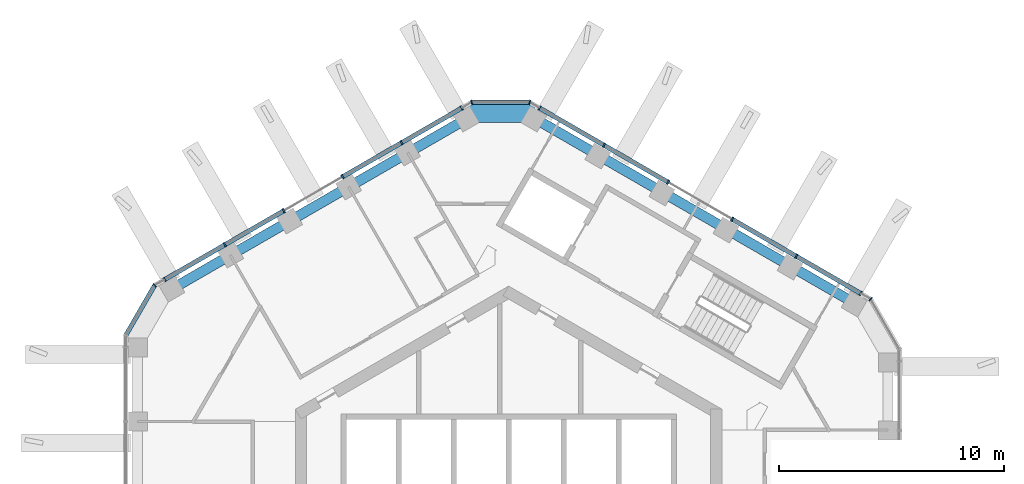
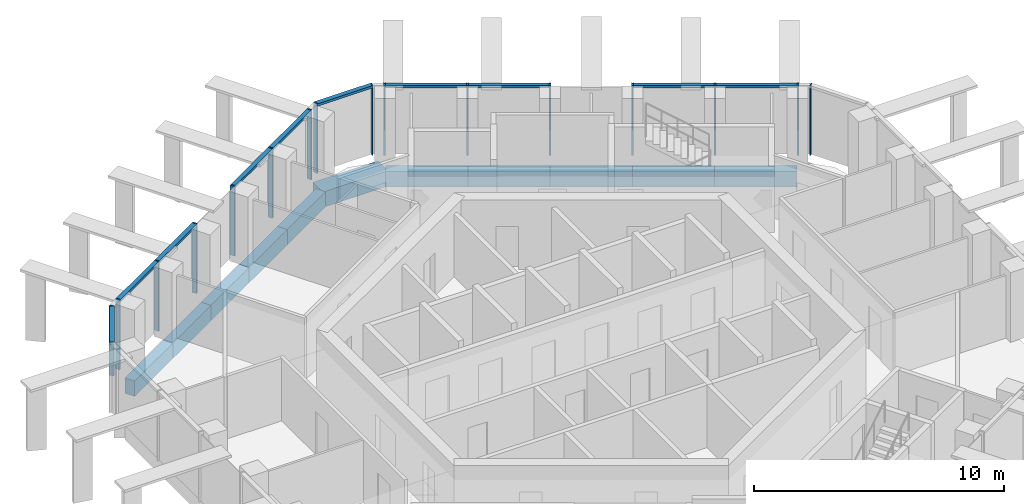
# One storey, part 5 of 18: 22 members, 11 beams, 5 elements without a shape of their own.
"""IFC4 building model written with IfcOpenShell, lengths in metres."""

from ifc_helpers import new_model, si_unit, direction, frame, origin, origin_2d, place, context, subcontext, project, spatial, rectangle, extrude, material, layer, layer_set, material_profile, profile_set, type_object, element, aggregate, save


model = new_model("IFC4")

# Units and contexts
model_context = context("Model", 3, precision=1e-05, world=origin(), true_north=direction((0.0, 1.0)))
body_context = subcontext(model_context, "Body", "Model", "MODEL_VIEW")
ifc_project = project(units=[si_unit("LENGTHUNIT", "METRE"), si_unit("AREAUNIT", "SQUARE_METRE"), si_unit("VOLUMEUNIT", "CUBIC_METRE"), si_unit("PLANEANGLEUNIT", "RADIAN"), si_unit("MASSUNIT", "GRAM", prefix="KILO")], contexts=[model_context])

# Site, building, storey
site_placement = place(None, origin())
site = spatial("IfcSite", under=ifc_project, at=site_placement, CompositionType="ELEMENT")
building_placement = place(site_placement, origin())
building = spatial("IfcBuilding", under=site, at=building_placement, Name="Ayvan Gate Tower", CompositionType="ELEMENT")
storey_placement = place(building_placement, frame((0.0, 0.0, 239.300048828125)))
storey = spatial("IfcBuildingStorey", under=building, at=storey_placement, Name="L64", CompositionType="ELEMENT", Elevation=239.300048828125)

# Beams
ifc_material_1 = material(Name="Concrete C40/50", Category="concrete")
ifc_material_profile_1 = material_profile(ifc_material_1, rectangle(XDim=0.800048828125, YDim=0.75, at=origin_2d()), Name="RC 800x750")
ifc_profile_set_1 = profile_set([ifc_material_profile_1], Name="Concrete C40/50")
beam_type_1 = type_object("IfcBeamType", Name="Corner spandrel beam RC 800x750 C40/50", PredefinedType="BEAM", material=ifc_profile_set_1)
beam_1_placement = place(storey_placement, frame((1.156494140625, 18.65576171875, -0.72509765625), z_axis=(-1.0, 0.0, 0.0), x_axis=(0.0, -1.0, 0.0)))
element("IfcBeam", 1, at=beam_1_placement, inside=storey, type_object=beam_type_1, Name="SB-L64-12", PredefinedType="BEAM", context=body_context, shape_type="SweptSolid", body=[
    extrude(rectangle(XDim=0.800048828125, YDim=0.75, at=origin_2d()), origin(), (0.0, 0.0, 1.0), 3.0),
])
ifc_material_profile_2 = material_profile(ifc_material_1, rectangle(XDim=0.449951171875, YDim=0.75, at=origin_2d()), Name="RC 450x750")
ifc_profile_set_2 = profile_set([ifc_material_profile_2], Name="Concrete C40/50")
beam_type_2 = type_object("IfcBeamType", Name="Spandrel beam RC 450x750 C40/50", PredefinedType="BEAM", material=ifc_profile_set_2)
beam_2_placement = place(storey_placement, frame((15.387451171875, 10.219482421875, -0.72509765625), z_axis=(-0.866017343988, 0.500013959717, 0.0), x_axis=(-0.500013959717, -0.866017343988, 0.0)))
element("IfcBeam", 2, at=beam_2_placement, inside=storey, type_object=beam_type_2, Name="SB-L64-7", PredefinedType="BEAM", context=body_context, shape_type="SweptSolid", body=[
    extrude(rectangle(XDim=0.449951171875, YDim=0.75, at=origin_2d()), origin(), (0.0, 0.0, 1.0), 3.28662109375),
])
beam_3_placement = place(storey_placement, frame((12.541259765625, 11.86279296875, -0.72509765625), z_axis=(-0.866049510442, 0.499958243719, 0.0), x_axis=(-0.499958243719, -0.866049510442, 0.0)))
element("IfcBeam", 3, at=beam_3_placement, inside=storey, type_object=beam_type_2, Name="SB-L64-8", PredefinedType="BEAM", context=body_context, shape_type="SweptSolid", body=[
    extrude(rectangle(XDim=0.449951171875, YDim=0.75, at=origin_2d()), origin(), (0.0, 0.0, 1.0), 3.286376953125),
])
for number, where, z_axis, x_axis, name in (
    (4, (9.695068359375, 13.505859375, -0.72509765625), (-0.866017343988, 0.500013959717, 0.0), (-0.500013959717, -0.866017343988, 0.0), "SB-L64-9"),
    (5, (6.848876953125, 15.149169921875, -0.72509765625), (-0.866017343988, 0.500013959717, 0.0), (-0.500013959717, -0.866017343988, 0.0), "SB-L64-10"),
    (6, (4.002685546875, 16.79248046875, -0.72509765625), (-0.866017343988, 0.500013959717, 0.0), (-0.500013959717, -0.866017343988, 0.0), "SB-L64-11"),
):
    element("IfcBeam", number, at=place(storey_placement, frame(where, z_axis=z_axis, x_axis=x_axis)), inside=storey, type_object=beam_type_2, Name=name, PredefinedType="BEAM", context=body_context, shape_type="SweptSolid", body=[
        extrude(rectangle(XDim=0.449951171875, YDim=0.75, at=origin_2d()), origin(), (0.0, 0.0, 1.0), 3.28662109375),
    ])
for number, where, z_axis, x_axis, name in (
    (7, (-1.843505859375, 18.435791015625, -0.72509765625), (-0.866006879371, -0.500032083853, 0.0), (0.500032083853, -0.866006879371, 0.0), "SB-L64-13"),
    (8, (-4.483642578125, 16.911376953125, -0.72509765625), (-0.866041556688, -0.499972021306, 0.0), (0.499972021306, -0.866041556688, 0.0), "SB-L64-14"),
    (9, (-7.123779296875, 15.38720703125, -0.72509765625), (-0.866006879371, -0.500032083853, 0.0), (0.500032083853, -0.866006879371, 0.0), "SB-L64-15"),
    (10, (-9.763916015625, 13.86279296875, -0.72509765625), (-0.866041556688, -0.499972021306, 0.0), (0.499972021306, -0.866041556688, 0.0), "SB-L64-16"),
):
    element("IfcBeam", number, at=place(storey_placement, frame(where, z_axis=z_axis, x_axis=x_axis)), inside=storey, type_object=beam_type_2, Name=name, PredefinedType="BEAM", context=body_context, shape_type="SweptSolid", body=[
        extrude(rectangle(XDim=0.449951171875, YDim=0.75, at=origin_2d()), origin(), (0.0, 0.0, 1.0), 3.048583984375),
    ])
beam_4_placement = place(storey_placement, frame((-12.404052734375, 12.338623046875, -0.72509765625), z_axis=(-0.865986854215, -0.500066763869, 0.0), x_axis=(0.500066763869, -0.865986854215, 0.0)))
element("IfcBeam", 11, at=beam_4_placement, inside=storey, type_object=beam_type_2, Name="SB-L64-17", PredefinedType="BEAM", context=body_context, shape_type="SweptSolid", body=[
    extrude(rectangle(XDim=0.449951171875, YDim=0.75, at=origin_2d()), origin(), (0.0, 0.0, 1.0), 3.04833984375),
])

# Curtain wall, members
ifc_material_2 = material(Name="Bronze anodised aluminium", Category="aluminium")
ifc_layer_1 = layer(ifc_material_2, 0.199951171875)
ifc_layer_set_1 = layer_set([ifc_layer_1], Name="Bronze anodised aluminium")
curtain_wall_type_1 = type_object("IfcCurtainWallType", Name="Stick curtain wall CW-2", PredefinedType="NOTDEFINED", material=ifc_layer_set_1)
curtain_wall_1_placement = place(storey_placement, origin())
curtain_wall_1 = element("IfcCurtainWall", 12, at=curtain_wall_1_placement, inside=storey, type_object=curtain_wall_type_1, Name="Stick curtain wall CW-2 L64", PredefinedType="NOTDEFINED")
ifc_material_profile_3 = material_profile(ifc_material_2, rectangle(XDim=0.199951171875, YDim=0.070068359375, at=origin_2d()), Name="Stick curtain wall CW-2 mullion 200 x 70")
ifc_profile_set_3 = profile_set([ifc_material_profile_3], Name="Bronze anodised aluminium")
member_type_1 = type_object("IfcMemberType", Name="Stick curtain wall CW-2 mullion 200 x 70", PredefinedType="MULLION", material=ifc_profile_set_3)
member_1_placement = place(storey_placement, frame((-2.089111328125, 18.900146484375, 0.0), z_axis=(0.0, 0.0, 1.0), x_axis=(-0.5, 0.866025403784, 0.0)))
member_1 = element("IfcMember", 13, at=member_1_placement, type_object=member_type_1, Name="CW-2 mullion 1", PredefinedType="MULLION", context=body_context, shape_type="SweptSolid", body=[
    extrude(rectangle(XDim=0.199951171875, YDim=0.070068359375, at=origin_2d()), origin(), (0.0, 0.0, 1.0), 3.39990234375),
])
member_2_placement = place(storey_placement, frame((-4.77099609375, 17.3515625, 0.0), z_axis=(0.0, 0.0, 1.0), x_axis=(-0.5, 0.866025403784, 0.0)))
member_2 = element("IfcMember", 14, at=member_2_placement, type_object=member_type_1, Name="CW-2 mullion 2", PredefinedType="MULLION", context=body_context, shape_type="SweptSolid", body=[
    extrude(rectangle(XDim=0.199951171875, YDim=0.070068359375, at=origin_2d()), origin(), (0.0, 0.0, 1.0), 3.39990234375),
])
member_3_placement = place(storey_placement, frame((-7.394287109375, 15.837158203125, 0.0), z_axis=(0.0, 0.0, 1.0), x_axis=(-0.5, 0.866025403784, 0.0)))
member_3 = element("IfcMember", 15, at=member_3_placement, type_object=member_type_1, Name="CW-2 mullion 3", PredefinedType="MULLION", context=body_context, shape_type="SweptSolid", body=[
    extrude(rectangle(XDim=0.199951171875, YDim=0.070068359375, at=origin_2d()), origin(), (0.0, 0.0, 1.0), 3.39990234375),
])
member_4_placement = place(storey_placement, frame((-10.017578125, 14.322509765625, 0.0), z_axis=(0.0, 0.0, 1.0), x_axis=(-0.5, 0.866025403784, 0.0)))
member_4 = element("IfcMember", 16, at=member_4_placement, type_object=member_type_1, Name="CW-2 mullion 4", PredefinedType="MULLION", context=body_context, shape_type="SweptSolid", body=[
    extrude(rectangle(XDim=0.199951171875, YDim=0.070068359375, at=origin_2d()), origin(), (0.0, 0.0, 1.0), 3.39990234375),
])
member_5_placement = place(storey_placement, frame((-12.640625, 12.80810546875, 0.0), z_axis=(0.0, 0.0, 1.0), x_axis=(-0.5, 0.866025403784, 0.0)))
member_5 = element("IfcMember", 17, at=member_5_placement, type_object=member_type_1, Name="CW-2 mullion 5", PredefinedType="MULLION", context=body_context, shape_type="SweptSolid", body=[
    extrude(rectangle(XDim=0.199951171875, YDim=0.070068359375, at=origin_2d()), origin(), (0.0, 0.0, 1.0), 3.39990234375),
])
member_6_placement = place(storey_placement, frame((-15.323486328125, 11.25927734375, 0.0), z_axis=(0.0, 0.0, 1.0), x_axis=(-0.5, 0.866025403784, 0.0)))
member_6 = element("IfcMember", 18, at=member_6_placement, type_object=member_type_1, Name="CW-2 mullion 6", PredefinedType="MULLION", context=body_context, shape_type="SweptSolid", body=[
    extrude(rectangle(XDim=0.199951171875, YDim=0.070068359375, at=origin_2d()), origin(), (0.0, 0.0, 1.0), 3.39990234375),
])

curtain_wall_2_placement = place(storey_placement, origin())
curtain_wall_2 = element("IfcCurtainWall", 19, at=curtain_wall_2_placement, inside=storey, type_object=curtain_wall_type_1, Name="Stick curtain wall CW-2 L64", PredefinedType="NOTDEFINED")
member_7_placement = place(storey_placement, frame((15.679443359375, 10.642578125, 0.0), z_axis=(0.0, 0.0, 1.0), x_axis=(0.5, 0.866025403784, 0.0)))
member_7 = element("IfcMember", 20, at=member_7_placement, type_object=member_type_1, Name="CW-2 mullion 1", PredefinedType="MULLION", context=body_context, shape_type="SweptSolid", body=[
    extrude(rectangle(XDim=0.199951171875, YDim=0.070068359375, at=origin_2d()), origin(), (0.0, 0.0, 1.0), 3.39990234375),
])
member_8_placement = place(storey_placement, frame((12.810302734375, 12.299072265625, 0.0), z_axis=(0.0, 0.0, 1.0), x_axis=(0.5, 0.866025403784, 0.0)))
member_8 = element("IfcMember", 21, at=member_8_placement, type_object=member_type_1, Name="CW-2 mullion 2", PredefinedType="MULLION", context=body_context, shape_type="SweptSolid", body=[
    extrude(rectangle(XDim=0.199951171875, YDim=0.070068359375, at=origin_2d()), origin(), (0.0, 0.0, 1.0), 3.39990234375),
])
member_9_placement = place(storey_placement, frame((9.955078125, 13.947509765625, 0.0), z_axis=(0.0, 0.0, 1.0), x_axis=(0.5, 0.866025403784, 0.0)))
member_9 = element("IfcMember", 22, at=member_9_placement, type_object=member_type_1, Name="CW-2 mullion 3", PredefinedType="MULLION", context=body_context, shape_type="SweptSolid", body=[
    extrude(rectangle(XDim=0.199951171875, YDim=0.070068359375, at=origin_2d()), origin(), (0.0, 0.0, 1.0), 3.39990234375),
])
member_10_placement = place(storey_placement, frame((7.1005859375, 15.595458984375, 0.0), z_axis=(0.0, 0.0, 1.0), x_axis=(0.5, 0.866025403784, 0.0)))
member_10 = element("IfcMember", 23, at=member_10_placement, type_object=member_type_1, Name="CW-2 mullion 4", PredefinedType="MULLION", context=body_context, shape_type="SweptSolid", body=[
    extrude(rectangle(XDim=0.199951171875, YDim=0.070068359375, at=origin_2d()), origin(), (0.0, 0.0, 1.0), 3.39990234375),
])
member_11_placement = place(storey_placement, frame((4.246337890625, 17.243408203125, 0.0), z_axis=(0.0, 0.0, 1.0), x_axis=(0.5, 0.866025403784, 0.0)))
member_11 = element("IfcMember", 24, at=member_11_placement, type_object=member_type_1, Name="CW-2 mullion 5", PredefinedType="MULLION", context=body_context, shape_type="SweptSolid", body=[
    extrude(rectangle(XDim=0.199951171875, YDim=0.070068359375, at=origin_2d()), origin(), (0.0, 0.0, 1.0), 3.39990234375),
])
member_12_placement = place(storey_placement, frame((1.376953125, 18.900146484375, 0.0), z_axis=(0.0, 0.0, 1.0), x_axis=(0.5, 0.866025403784, 0.0)))
member_12 = element("IfcMember", 25, at=member_12_placement, type_object=member_type_1, Name="CW-2 mullion 6", PredefinedType="MULLION", context=body_context, shape_type="SweptSolid", body=[
    extrude(rectangle(XDim=0.199951171875, YDim=0.070068359375, at=origin_2d()), origin(), (0.0, 0.0, 1.0), 3.39990234375),
])

# Member
ifc_material_profile_4 = material_profile(ifc_material_2, rectangle(XDim=0.199951171875, YDim=0.1201171875, at=origin_2d()), Name="Stick curtain wall CW-2 transom 200 x 120")
ifc_profile_set_4 = profile_set([ifc_material_profile_4], Name="Bronze anodised aluminium")
member_type_2 = type_object("IfcMemberType", Name="Stick curtain wall CW-2 transom 200 x 120", PredefinedType="USERDEFINED", material=ifc_profile_set_4)
member_13_placement = place(storey_placement, frame((-2.089111328125, 18.900146484375, 3.33984375), z_axis=(-0.866012037882, -0.500023149707, 0.0), x_axis=(0.500023149707, -0.866012037882, 0.0)))
member_13 = element("IfcMember", 26, at=member_13_placement, type_object=member_type_2, Name="CW-2 transom 1", ObjectType="TRANSOM", PredefinedType="USERDEFINED", context=body_context, shape_type="SweptSolid", body=[
    extrude(rectangle(XDim=0.199951171875, YDim=0.1201171875, at=origin_2d()), origin(), (0.0, 0.0, 1.0), 6.091064453125),
])

member_14_placement = place(storey_placement, frame((-10.0478515625, 14.30517578125, 3.33984375), z_axis=(-0.866024743763, -0.50000114319, 0.0), x_axis=(0.50000114319, -0.866024743763, 0.0)))
member_14 = element("IfcMember", 27, at=member_14_placement, type_object=member_type_2, Name="CW-2 transom 2", ObjectType="TRANSOM", PredefinedType="USERDEFINED", context=body_context, shape_type="SweptSolid", body=[
    extrude(rectangle(XDim=0.199951171875, YDim=0.1201171875, at=origin_2d()), origin(), (0.0, 0.0, 1.0), 6.091796875),
])

aggregate(curtain_wall_1, [member_1, member_2, member_3, member_4, member_5, member_6, member_13, member_14])

member_15_placement = place(storey_placement, frame((15.679443359375, 10.642578125, 3.33984375), z_axis=(-0.866034091436, 0.499984952244, 0.0), x_axis=(-0.499984952244, -0.866034091436, 0.0)))
member_15 = element("IfcMember", 28, at=member_15_placement, type_object=member_type_2, Name="CW-2 transom 1", ObjectType="TRANSOM", PredefinedType="USERDEFINED", context=body_context, shape_type="SweptSolid", body=[
    extrude(rectangle(XDim=0.199951171875, YDim=0.1201171875, at=origin_2d()), origin(), (0.0, 0.0, 1.0), 6.574951171875),
])

member_16_placement = place(storey_placement, frame((7.0703125, 15.613037109375, 3.33984375), z_axis=(-0.866022320763, 0.500005339912, 0.0), x_axis=(-0.500005339912, -0.866022320763, 0.0)))
member_16 = element("IfcMember", 29, at=member_16_placement, type_object=member_type_2, Name="CW-2 transom 2", ObjectType="TRANSOM", PredefinedType="USERDEFINED", context=body_context, shape_type="SweptSolid", body=[
    extrude(rectangle(XDim=0.199951171875, YDim=0.1201171875, at=origin_2d()), origin(), (0.0, 0.0, 1.0), 6.57421875),
])

aggregate(curtain_wall_2, [member_7, member_8, member_9, member_10, member_11, member_12, member_15, member_16])

# Curtain wall, member
ifc_layer_2 = layer(ifc_material_2, 0.199951171875)
ifc_layer_set_2 = layer_set([ifc_layer_2], Name="Bronze anodised aluminium")
curtain_wall_type_2 = type_object("IfcCurtainWallType", Name="Stick curtain wall CW-6", PredefinedType="NOTDEFINED", material=ifc_layer_set_2)
curtain_wall_3_placement = place(storey_placement, origin())
curtain_wall_3 = element("IfcCurtainWall", 30, at=curtain_wall_3_placement, inside=storey, type_object=curtain_wall_type_2, Name="Stick curtain wall CW-6 L64", PredefinedType="NOTDEFINED")
ifc_material_profile_5 = material_profile(ifc_material_2, rectangle(XDim=0.199951171875, YDim=0.050048828125, at=origin_2d()), Name="Stick curtain wall CW-6 mullion 200 x 50")
ifc_profile_set_5 = profile_set([ifc_material_profile_5], Name="Bronze anodised aluminium")
member_type_3 = type_object("IfcMemberType", Name="Stick curtain wall CW-6 mullion 200 x 50", PredefinedType="MULLION", material=ifc_profile_set_5)
member_17_placement = place(storey_placement, frame((-15.76513671875, 11.004150390625, 0.0), z_axis=(0.0, 0.0, 1.0), x_axis=(-0.707106781187, 0.707106781187, 0.0)))
member_17 = element("IfcMember", 31, at=member_17_placement, type_object=member_type_3, Name="CW-6 mullion 2", PredefinedType="MULLION", context=body_context, shape_type="SweptSolid", body=[
    extrude(rectangle(XDim=0.199951171875, YDim=0.050048828125, at=origin_2d()), origin(), (0.0, 0.0, 1.0), 3.39990234375),
])

curtain_wall_4_placement = place(storey_placement, origin())
curtain_wall_4 = element("IfcCurtainWall", 32, at=curtain_wall_4_placement, inside=storey, type_object=curtain_wall_type_2, Name="Stick curtain wall CW-6 L64", PredefinedType="NOTDEFINED")
member_18_placement = place(storey_placement, frame((16.12109375, 10.387451171875, 0.0), z_axis=(0.0, 0.0, 1.0), x_axis=(0.707106781187, 0.707106781187, 0.0)))
member_18 = element("IfcMember", 33, at=member_18_placement, type_object=member_type_3, Name="CW-6 mullion 3", PredefinedType="MULLION", context=body_context, shape_type="SweptSolid", body=[
    extrude(rectangle(XDim=0.199951171875, YDim=0.050048828125, at=origin_2d()), origin(), (0.0, 0.0, 1.0), 3.39990234375),
])
aggregate(curtain_wall_4, [member_18])

# Curtain wall, members
curtain_wall_5_placement = place(storey_placement, origin())
curtain_wall_5 = element("IfcCurtainWall", 34, at=curtain_wall_5_placement, inside=storey, type_object=curtain_wall_type_2, Name="Stick curtain wall CW-6 L64", PredefinedType="NOTDEFINED")
member_19_placement = place(storey_placement, frame((0.935302734375, 19.155029296875, 0.0), z_axis=(0.0, 0.0, 1.0), x_axis=(0.258819045103, 0.965925826289, 0.0)))
member_19 = element("IfcMember", 35, at=member_19_placement, type_object=member_type_3, Name="CW-6 mullion 2", PredefinedType="MULLION", context=body_context, shape_type="SweptSolid", body=[
    extrude(rectangle(XDim=0.199951171875, YDim=0.050048828125, at=origin_2d()), origin(), (0.0, 0.0, 1.0), 3.39990234375),
])
member_20_placement = place(storey_placement, frame((-1.6474609375, 19.155029296875, 0.0), z_axis=(0.0, 0.0, 1.0), x_axis=(-0.258819045103, 0.965925826289, 0.0)))
member_20 = element("IfcMember", 36, at=member_20_placement, type_object=member_type_3, Name="CW-6 mullion 3", PredefinedType="MULLION", context=body_context, shape_type="SweptSolid", body=[
    extrude(rectangle(XDim=0.199951171875, YDim=0.050048828125, at=origin_2d()), origin(), (0.0, 0.0, 1.0), 3.39990234375),
])

# Member
ifc_material_profile_6 = material_profile(ifc_material_2, rectangle(XDim=0.199951171875, YDim=0.1201171875, at=origin_2d()), Name="Stick curtain wall CW-6 transom 200 x 120")
ifc_profile_set_6 = profile_set([ifc_material_profile_6], Name="Bronze anodised aluminium")
member_type_4 = type_object("IfcMemberType", Name="Stick curtain wall CW-6 transom 200 x 120", PredefinedType="USERDEFINED", material=ifc_profile_set_6)
member_21_placement = place(storey_placement, frame((-15.777587890625, 10.982666015625, 3.33984375), z_axis=(-0.500006158363, -0.866021848223, 0.0), x_axis=(0.866021848223, -0.500006158363, 0.0)))
member_21 = element("IfcMember", 37, at=member_21_placement, type_object=member_type_4, Name="CW-6 transom 2", ObjectType="TRANSOM", PredefinedType="USERDEFINED", context=body_context, shape_type="SweptSolid", body=[
    extrude(rectangle(XDim=0.199951171875, YDim=0.1201171875, at=origin_2d()), origin(), (0.0, 0.0, 1.0), 2.53271484375),
])

aggregate(curtain_wall_3, [member_17, member_21])

member_22_placement = place(storey_placement, frame((0.91015625, 19.155029296875, 3.33984375), z_axis=(-1.0, 0.0, 0.0), x_axis=(0.0, -1.0, 0.0)))
member_22 = element("IfcMember", 38, at=member_22_placement, type_object=member_type_4, Name="CW-6 transom 2", ObjectType="TRANSOM", PredefinedType="USERDEFINED", context=body_context, shape_type="SweptSolid", body=[
    extrude(rectangle(XDim=0.199951171875, YDim=0.1201171875, at=origin_2d()), origin(), (0.0, 0.0, 1.0), 2.532470703125),
])

aggregate(curtain_wall_5, [member_19, member_20, member_22])

save(model, "model.ifc")
